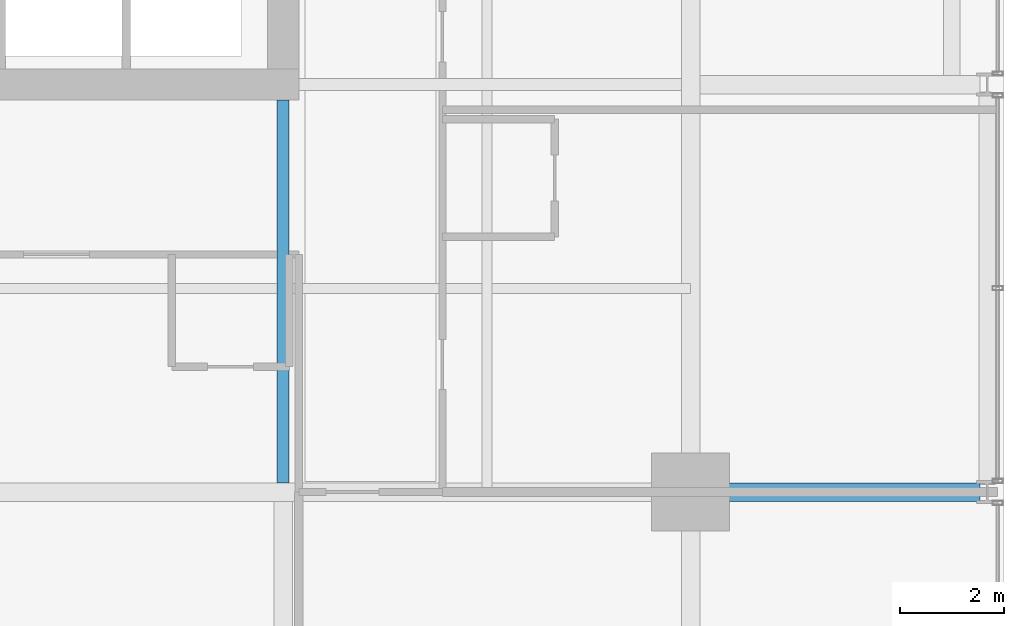
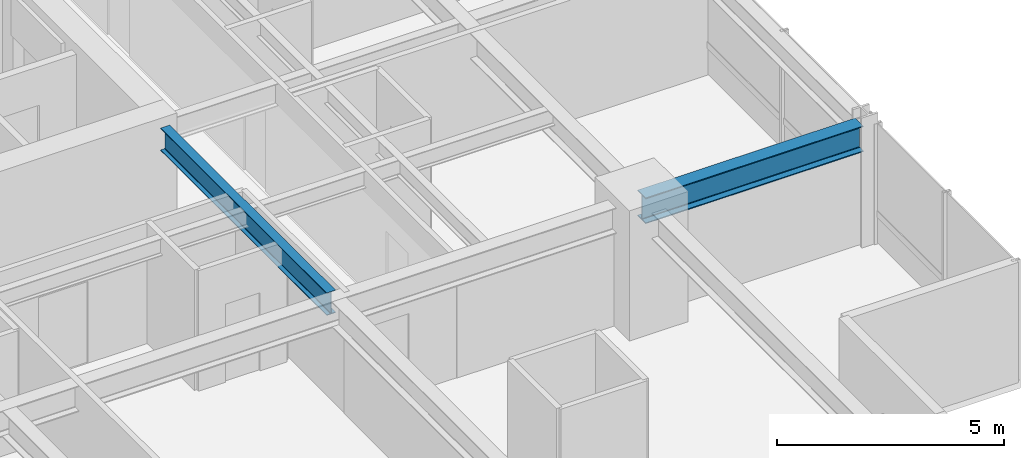
# One storey, part 12 of 35: 2 beams.
"""IFC4 building model written with IfcOpenShell, lengths in metres."""

import ifcopenshell
import ifcopenshell.guid

model = None  # the IFC model being written
_history = None  # IfcOwnerHistory: only IFC2X3 demands one
_inside = {}  # id of a spatial element -> (the spatial element, [elements in it])
_under = {}  # id of a project, library or spatial element -> (it, [spatial elements below it])
_declared = {}  # id of a project -> (the project, [libraries it declares])
_typed = {}  # id of a type object -> (the type object, [elements of that type])
_made_of = {}  # id of a material, layer set ... -> (it, [elements and type objects made of it])


def new_model(schema):
    """Start an empty IFC model of exactly this schema.

    Asked for "IFC4X3", IfcOpenShell would pick the latest addendum, in which some entities
    have other attributes; the version numbers below select the first issue.
    IFC2X3 requires an IfcOwnerHistory on every rooted entity: one is made here for all.
    """
    global model, _history
    if schema == "IFC4X3":
        model = ifcopenshell.file(schema_version=(4, 3, 0, 0))
    else:
        model = ifcopenshell.file(schema=schema)
    _inside.clear()
    _under.clear()
    _declared.clear()
    _typed.clear()
    _made_of.clear()
    _history = None
    if model.schema == "IFC2X3":
        org = make("IfcOrganization", Name="unknown")
        user = make(
            "IfcPersonAndOrganization",
            ThePerson=make("IfcPerson", FamilyName="unknown"),
            TheOrganization=org,
        )
        app = make(
            "IfcApplication",
            ApplicationDeveloper=org,
            Version="unknown",
            ApplicationFullName="unknown",
            ApplicationIdentifier="unknown",
        )
        _history = make(
            "IfcOwnerHistory",
            OwningUser=user,
            OwningApplication=app,
            ChangeAction="ADDED",
            CreationDate=0,
        )
    return model


def make(cls, **values):
    """One entity of the class cls with the attributes given. An attribute that is None is left unset."""
    return model.create_entity(
        cls, **{name: value for name, value in values.items() if value is not None}
    )


def rooted(cls, **values):
    """An entity with a GlobalId (a new one), such as an element, a storey or a relation."""
    return make(cls, GlobalId=ifcopenshell.guid.new(), OwnerHistory=_history, **values)


def si_unit(unit_type, name, prefix=None):
    """IfcSIUnit, for example si_unit("LENGTHUNIT", "METRE", prefix="MILLI")."""
    return make("IfcSIUnit", UnitType=unit_type, Prefix=prefix, Name=name)


def assignment(units):
    """IfcUnitAssignment: the units of a project."""
    return None if units is None else make("IfcUnitAssignment", Units=units)


def point(xyz):
    """IfcCartesianPoint."""
    return None if xyz is None else make("IfcCartesianPoint", Coordinates=xyz)


def direction(xyz):
    """IfcDirection."""
    return None if xyz is None else make("IfcDirection", DirectionRatios=xyz)


def frame(location, z_axis=None, x_axis=None):
    """IfcAxis2Placement3D, a coordinate frame: its origin and axes. An axis left out is left unset."""
    return make(
        "IfcAxis2Placement3D",
        Location=point(location),
        Axis=direction(z_axis),
        RefDirection=direction(x_axis),
    )


def frame_2d(location, x_axis=None):
    """IfcAxis2Placement2D, a coordinate frame in the plane: its origin and x axis."""
    return make(
        "IfcAxis2Placement2D", Location=point(location), RefDirection=direction(x_axis)
    )


def origin():
    """The frame at (0, 0, 0) with its axes left unset."""
    return frame((0.0, 0.0, 0.0))


def origin_2d():
    """The frame at (0, 0) in the plane with its x axis left unset."""
    return frame_2d((0.0, 0.0))


def place(relative_to, where):
    """IfcLocalPlacement: puts the frame where relative to a parent placement (None: the world)."""
    return make(
        "IfcLocalPlacement", PlacementRelTo=relative_to, RelativePlacement=where
    )


def context(
    kind, dimensions, precision=None, world=None, true_north=None, identifier=None
):
    """IfcGeometricRepresentationContext, for example the 3D "Model" context."""
    return make(
        "IfcGeometricRepresentationContext",
        ContextIdentifier=identifier,
        ContextType=kind,
        CoordinateSpaceDimension=dimensions,
        Precision=precision,
        WorldCoordinateSystem=world,
        TrueNorth=true_north,
    )


def subcontext(parent, identifier, kind, view, scale=None):
    """IfcGeometricRepresentationSubContext, for example "Body" below "Model"."""
    return make(
        "IfcGeometricRepresentationSubContext",
        ContextIdentifier=identifier,
        ContextType=kind,
        ParentContext=parent,
        TargetScale=scale,
        TargetView=view,
    )


def project(units=None, contexts=None):
    """IfcProject with its units and contexts."""
    return rooted(
        "IfcProject",
        Name="project",
        RepresentationContexts=contexts,
        UnitsInContext=assignment(units),
    )


def spatial(cls, under=None, at=None, **own):
    """A site, building, storey or space (cls), placed at a placement, below another one or the project."""
    s = rooted(cls, ObjectPlacement=at, **own)
    if under is not None:
        _under.setdefault(under.id(), (under, []))[1].append(s)
    return s


def profile(cls, at=None, kind="AREA", **sizes):
    """A parametric profile (cls). Its sizes go by their IFC names, for example OverallWidth=200.0."""
    return make(cls, ProfileType=kind, Position=at, **sizes)


def i_section(**sizes):
    """IfcIShapeProfileDef."""
    return profile("IfcIShapeProfileDef", **sizes)


def extrude(swept, where, along, depth):
    """IfcExtrudedAreaSolid: the profile swept, set in the frame where, extruded along a direction by depth."""
    return make(
        "IfcExtrudedAreaSolid",
        SweptArea=swept,
        Position=where,
        ExtrudedDirection=direction(along),
        Depth=depth,
    )


def shape(context_of_items, identifier, shape_type, items):
    """IfcShapeRepresentation: the items that make up one representation, for example the "Body"."""
    return make(
        "IfcShapeRepresentation",
        ContextOfItems=context_of_items,
        RepresentationIdentifier=identifier,
        RepresentationType=shape_type,
        Items=items,
    )


def material(Name=None, Category=None):
    """IfcMaterial."""
    return make("IfcMaterial", Name=Name, Category=Category)


def material_profile(
    of_material, cross_section, Name=None, Category=None, Priority=None
):
    """IfcMaterialProfile: a cross section and its material."""
    return make(
        "IfcMaterialProfile",
        Name=Name,
        Material=of_material,
        Profile=cross_section,
        Priority=Priority,
        Category=Category,
    )


def profile_set(profiles, Name=None, composite=None):
    """IfcMaterialProfileSet."""
    return make(
        "IfcMaterialProfileSet",
        Name=Name,
        MaterialProfiles=profiles,
        CompositeProfile=composite,
    )


def made_of(thing, what):
    """Note that an element or type object is made of a material, layer set ...; save() writes the relation."""
    if what is not None:
        _made_of.setdefault(what.id(), (what, []))[1].append(thing)
    return thing


def type_object(cls, material=None, **own):
    """A type object (cls), such as IfcWallType, which elements share."""
    return made_of(rooted(cls, **own), material)


def element(
    cls,
    number,
    at=None,
    inside=None,
    cuts=None,
    type_object=None,
    material=None,
    context=None,
    identifier="Body",
    shape_type=None,
    held_by="IfcProductDefinitionShape",
    body=None,
    shapes=None,
    **own,
):
    """One element of the class cls, such as IfcWall. Its Tag is "e" and its number.

    at: its placement. inside: the storey or other place that contains it. cuts: it is an
    opening in that element (IfcRelVoidsElement). A single representation is given by context,
    identifier, shape_type and body (its items); several are given by shapes. held_by: the class
    of the entity that holds the representations. save() writes the other relations.
    """
    e = rooted(cls, Tag="e%d" % number, ObjectPlacement=at, **own)
    if body is not None:
        shapes = [shape(context, identifier, shape_type, body)]
    if shapes is not None:
        e.Representation = make(held_by, Representations=shapes)
    if inside is not None:
        _inside.setdefault(inside.id(), (inside, []))[1].append(e)
    if cuts is not None:
        rooted(
            "IfcRelVoidsElement", RelatingBuildingElement=cuts, RelatedOpeningElement=e
        )
    if type_object is not None:
        _typed.setdefault(type_object.id(), (type_object, []))[1].append(e)
    return made_of(e, material)


def aggregate(whole, parts):
    """IfcRelAggregates: a whole, such as a stair, and the parts it consists of."""
    return rooted("IfcRelAggregates", RelatingObject=whole, RelatedObjects=parts)


def save(model, path):
    """Write the relations noted so far, then the file.

    IfcRelAggregates (storeys below a building ...), IfcRelContainedInSpatialStructure (elements
    in a storey), IfcRelDefinesByType, IfcRelAssociatesMaterial and IfcRelDeclares: one each for
    every whole, place, type object, material and project.
    """
    for whole, parts in _under.values():
        aggregate(whole, parts)
    for where, things in _inside.values():
        rooted(
            "IfcRelContainedInSpatialStructure",
            RelatedElements=things,
            RelatingStructure=where,
        )
    for kind, things in _typed.values():
        rooted("IfcRelDefinesByType", RelatedObjects=things, RelatingType=kind)
    for what, things in _made_of.values():
        rooted("IfcRelAssociatesMaterial", RelatedObjects=things, RelatingMaterial=what)
    for by, libraries in _declared.values():
        rooted("IfcRelDeclares", RelatingContext=by, RelatedDefinitions=libraries)
    model.write(path)


model = new_model("IFC4")

# Units and contexts
model_context = context("Model", 3, precision=1e-05, world=origin(), true_north=direction((0.0, 1.0)))
body_context = subcontext(model_context, "Body", "Model", "MODEL_VIEW")
ifc_project = project(units=[si_unit("LENGTHUNIT", "METRE"), si_unit("AREAUNIT", "SQUARE_METRE"), si_unit("VOLUMEUNIT", "CUBIC_METRE"), si_unit("PLANEANGLEUNIT", "RADIAN"), si_unit("MASSUNIT", "GRAM", prefix="KILO")], contexts=[model_context])

# Site, building, storey
site_placement = place(None, origin())
site = spatial("IfcSite", under=ifc_project, at=site_placement, CompositionType="ELEMENT")
building_placement = place(site_placement, origin())
building = spatial("IfcBuilding", under=site, at=building_placement, Name="Drelvath Grand Hotel", CompositionType="ELEMENT")
storey_placement = place(building_placement, frame((0.0, 0.0, 130.300048828125)))
storey = spatial("IfcBuildingStorey", under=building, at=storey_placement, Name="L33", CompositionType="ELEMENT", Elevation=130.300048828125)

# Beams
ifc_material = material(Name="Steel ASTM A992 Gr 50", Category="steel")
ifc_material_profile_1 = material_profile(ifc_material, i_section(OverallWidth=0.228271484375, OverallDepth=0.607666015625, WebThickness=0.01123046875, FlangeThickness=0.017333984375, FilletRadius=0.02001953125, at=origin_2d()), Name="W24X76")
ifc_profile_set_1 = profile_set([ifc_material_profile_1], Name="Steel ASTM A992 Gr 50")
beam_type_1 = type_object("IfcBeamType", Name="Primary Floor Girder W24X76", PredefinedType="BEAM", material=ifc_profile_set_1)
beam_1_placement = place(storey_placement, frame((8.39990234375, 10.977294921875, 2.93603515625), z_axis=(0.0, 1.0, 0.0), x_axis=(-1.0, 0.0, 0.0)))
element("IfcBeam", 1, at=beam_1_placement, inside=storey, type_object=beam_type_1, Name="L33 South Core Tie 6", PredefinedType="BEAM", context=body_context, shape_type="SweptSolid", body=[
    extrude(i_section(OverallWidth=0.228271484375, OverallDepth=0.607666015625, WebThickness=0.01123046875, FlangeThickness=0.017333984375, FilletRadius=0.02001953125, at=origin_2d()), origin(), (0.0, 0.0, 1.0), 7.32275390625),
])
ifc_material_profile_2 = material_profile(ifc_material, i_section(OverallWidth=0.354736328125, OverallDepth=0.695556640625, WebThickness=0.015380859375, FlangeThickness=0.025146484375, FilletRadius=0.02392578125, at=origin_2d()), Name="W27X146")
ifc_profile_set_2 = profile_set([ifc_material_profile_2], Name="Steel ASTM A992 Gr 50")
beam_type_2 = type_object("IfcBeamType", Name="Primary Floor Girder W27X146", PredefinedType="BEAM", material=ifc_profile_set_2)
beam_2_placement = place(storey_placement, frame((16.199951171875, 10.800048828125, 2.892333984375), z_axis=(1.0, 0.0, 0.0), x_axis=(0.0, 1.0, 0.0)))
element("IfcBeam", 2, at=beam_2_placement, inside=storey, type_object=beam_type_2, Name="L33 East Grid Girder C", PredefinedType="BEAM", context=body_context, shape_type="SweptSolid", body=[
    extrude(i_section(OverallWidth=0.354736328125, OverallDepth=0.695556640625, WebThickness=0.015380859375, FlangeThickness=0.025146484375, FilletRadius=0.02392578125, at=origin_2d()), origin(), (0.0, 0.0, 1.0), 5.5400390625),
])

save(model, "model.ifc")
